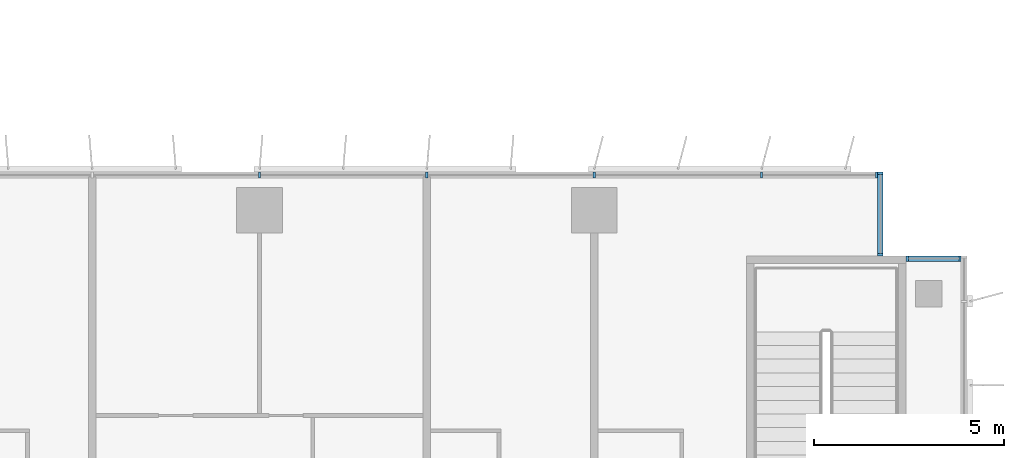
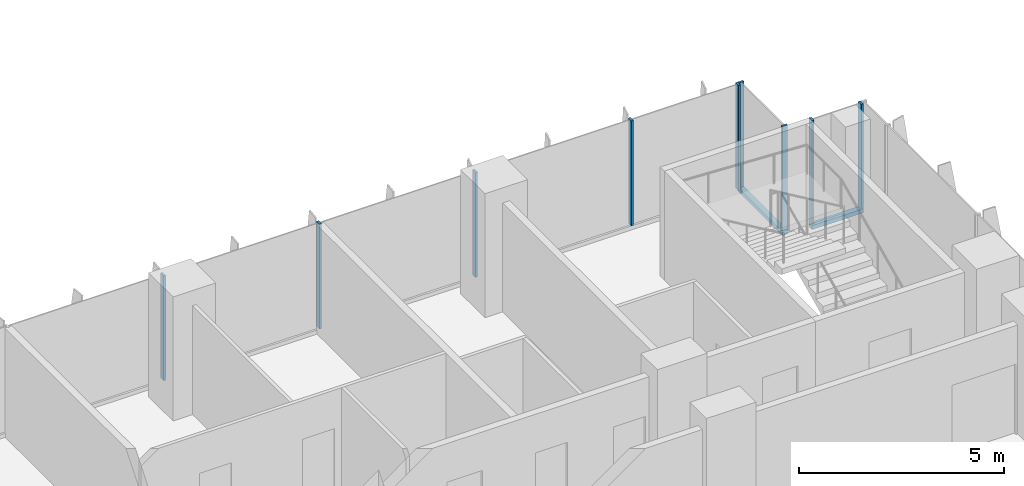
# One storey, part 4 of 22: 11 members, 3 elements without a shape of their own.
"""IFC4 building model written with IfcOpenShell, lengths in metres."""

from ifc_helpers import new_model, si_unit, direction, frame, origin, origin_2d, place, context, subcontext, project, spatial, rectangle, extrude, source, transform, mapped, material, material_profile, profile_set, type_object, element, aggregate, save


model = new_model("IFC4")

# Units and contexts
model_context = context("Model", 3, precision=1e-05, world=origin(), true_north=direction((0.0, 1.0)))
body_context = subcontext(model_context, "Body", "Model", "MODEL_VIEW")
ifc_project = project(units=[si_unit("LENGTHUNIT", "METRE"), si_unit("AREAUNIT", "SQUARE_METRE"), si_unit("VOLUMEUNIT", "CUBIC_METRE"), si_unit("PLANEANGLEUNIT", "RADIAN"), si_unit("MASSUNIT", "GRAM", prefix="KILO")], contexts=[model_context])

# Site, building, storey
site_placement = place(None, origin())
site = spatial("IfcSite", under=ifc_project, at=site_placement, CompositionType="ELEMENT")
building_placement = place(site_placement, origin())
building = spatial("IfcBuilding", under=site, at=building_placement, Name="Kemantara Hotel Tower", CompositionType="ELEMENT")
storey_placement = place(building_placement, frame((0.0, 0.0, 129.60009765625)))
storey = spatial("IfcBuildingStorey", under=building, at=storey_placement, Name="L31", CompositionType="ELEMENT", Elevation=129.60009765625)

# Curtain wall, member
ifc_material_1 = material(Name="Low-E tinted double insulated glass 36 mm", Category="glass")
curtain_wall_type = type_object("IfcCurtainWallType", Name="TOWER CURTAIN WALL, FRONT FACES", PredefinedType="USERDEFINED", material=ifc_material_1)
curtain_wall_1_placement = place(storey_placement, origin())
curtain_wall_1 = element("IfcCurtainWall", 1, at=curtain_wall_1_placement, inside=storey, type_object=curtain_wall_type, Name="CW4 L31 T2-R11-1", ObjectType="TOWER CURTAIN WALL, FRONT FACES", PredefinedType="USERDEFINED")
ifc_material_2 = material(Name="Aluminium 6063-T6 bronze anodised", Category="aluminium")
ifc_material_profile_1 = material_profile(ifc_material_2, rectangle(XDim=0.14990234375, YDim=0.1201171875, at=origin_2d()), Name="TOWER CURTAIN WALL, FRONT FACES TRANSOM")
ifc_profile_set_1 = profile_set([ifc_material_profile_1], Name="Aluminium 6063-T6 bronze anodised")
member_type_1 = type_object("IfcMemberType", Name="TOWER CURTAIN WALL, FRONT FACES TRANSOM", PredefinedType="USERDEFINED", material=ifc_profile_set_1)
member_1_placement = place(storey_placement, frame((63.449951171875, 19.72509765625, 0.059814453125), z_axis=(-1.0, 0.0, 0.0), x_axis=(0.0, -1.0, 0.0)))
member_1 = element("IfcMember", 2, at=member_1_placement, type_object=member_type_1, Name="CW4 sill transom T2-R11-1", ObjectType="TRANSOM", PredefinedType="USERDEFINED", context=body_context, shape_type="SweptSolid", body=[
    extrude(rectangle(XDim=0.14990234375, YDim=0.1201171875, at=origin_2d()), origin(), (0.0, 0.0, 1.0), 1.449951171875),
])

curtain_wall_2_placement = place(storey_placement, origin())
curtain_wall_2 = element("IfcCurtainWall", 3, at=curtain_wall_2_placement, inside=storey, type_object=curtain_wall_type, Name="CW4 L31 T2-R12-1", ObjectType="TOWER CURTAIN WALL, FRONT FACES", PredefinedType="USERDEFINED")
member_2_placement = place(storey_placement, frame((61.324951171875, 19.800048828125, 0.059814453125), z_axis=(0.0, 1.0, 0.0), x_axis=(-1.0, 0.0, 0.0)))
member_2 = element("IfcMember", 4, at=member_2_placement, type_object=member_type_1, Name="CW4 sill transom T2-R12-1", ObjectType="TRANSOM", PredefinedType="USERDEFINED", context=body_context, shape_type="SweptSolid", body=[
    extrude(rectangle(XDim=0.14990234375, YDim=0.1201171875, at=origin_2d()), origin(), (0.0, 0.0, 1.0), 2.199951171875),
])

# Curtain wall, members
curtain_wall_3_placement = place(storey_placement, origin())
curtain_wall_3 = element("IfcCurtainWall", 5, at=curtain_wall_3_placement, inside=storey, type_object=curtain_wall_type, Name="CW4 L31 T2-R13-1", ObjectType="TOWER CURTAIN WALL, FRONT FACES", PredefinedType="USERDEFINED")
ifc_material_profile_2 = material_profile(ifc_material_2, rectangle(XDim=0.14990234375, YDim=0.06005859375, at=origin_2d()), Name="TOWER CURTAIN WALL, FRONT FACES MULLION")
ifc_profile_set_2 = profile_set([ifc_material_profile_2], Name="Aluminium 6063-T6 bronze anodised")
member_type_2 = type_object("IfcMemberType", Name="TOWER CURTAIN WALL, FRONT FACES MULLION", PredefinedType="MULLION", material=ifc_profile_set_2)
shared_shape = source(origin(), body_context, "Body", "SweptSolid", [
    extrude(rectangle(XDim=0.14990234375, YDim=0.06005859375, at=origin_2d()), origin(), (0.0, 0.0, 1.0), 3.130126953125),
])
member_3_placement = place(storey_placement, frame((61.219970703125, 21.925048828125, 0.119873046875), z_axis=(0.0, 0.0, 1.0), x_axis=(0.0, -1.0, 0.0)))
member_3 = element("IfcMember", 6, at=member_3_placement, type_object=member_type_2, Name="CW4 mullion T2-R13-1.1", PredefinedType="MULLION", context=body_context, shape_type="MappedRepresentation", body=[
    mapped(shared_shape, transform((0.0, 0.0, 0.0))),
])
member_4_placement = place(storey_placement, frame((58.199951171875, 21.925048828125, 0.119873046875), z_axis=(0.0, 0.0, 1.0), x_axis=(0.0, -1.0, 0.0)))
member_4 = element("IfcMember", 7, at=member_4_placement, type_object=member_type_2, Name="CW4 mullion T2-R13-1.2", PredefinedType="MULLION", context=body_context, shape_type="MappedRepresentation", body=[
    mapped(shared_shape, transform((0.0, 0.0, 0.0))),
])
member_5_placement = place(storey_placement, frame((53.800048828125, 21.925048828125, 0.119873046875), z_axis=(0.0, 0.0, 1.0), x_axis=(0.0, -1.0, 0.0)))
member_5 = element("IfcMember", 8, at=member_5_placement, type_object=member_type_2, Name="CW4 mullion T2-R13-1.3", PredefinedType="MULLION", context=body_context, shape_type="MappedRepresentation", body=[
    mapped(shared_shape, transform((0.0, 0.0, 0.0))),
])
member_6_placement = place(storey_placement, frame((49.39990234375, 21.925048828125, 0.119873046875), z_axis=(0.0, 0.0, 1.0), x_axis=(0.0, -1.0, 0.0)))
member_6 = element("IfcMember", 9, at=member_6_placement, type_object=member_type_2, Name="CW4 mullion T2-R13-1.4", PredefinedType="MULLION", context=body_context, shape_type="MappedRepresentation", body=[
    mapped(shared_shape, transform((0.0, 0.0, 0.0))),
])
member_7_placement = place(storey_placement, frame((45.0, 21.925048828125, 0.119873046875), z_axis=(0.0, 0.0, 1.0), x_axis=(0.0, -1.0, 0.0)))
member_7 = element("IfcMember", 10, at=member_7_placement, type_object=member_type_2, Name="CW4 mullion T2-R13-1.5", PredefinedType="MULLION", context=body_context, shape_type="MappedRepresentation", body=[
    mapped(shared_shape, transform((0.0, 0.0, 0.0))),
])
aggregate(curtain_wall_3, [member_3, member_4, member_5, member_6, member_7])

# Member
member_8_placement = place(storey_placement, frame((63.419921875, 19.72509765625, 0.119873046875), z_axis=(0.0, 0.0, 1.0), x_axis=(0.0, -1.0, 0.0)))
member_8 = element("IfcMember", 11, at=member_8_placement, type_object=member_type_2, Name="CW4 mullion T2-R11-1.1", PredefinedType="MULLION", context=body_context, shape_type="MappedRepresentation", body=[
    mapped(shared_shape, transform((0.0, 0.0, 0.0))),
])

member_9_placement = place(storey_placement, frame((62.030029296875, 19.72509765625, 0.119873046875), z_axis=(0.0, 0.0, 1.0), x_axis=(0.0, -1.0, 0.0)))
member_9 = element("IfcMember", 12, at=member_9_placement, type_object=member_type_2, Name="CW4 mullion T2-R11-1.2", PredefinedType="MULLION", context=body_context, shape_type="MappedRepresentation", body=[
    mapped(shared_shape, transform((0.0, 0.0, 0.0))),
])

aggregate(curtain_wall_1, [member_1, member_8, member_9])

member_10_placement = place(storey_placement, frame((61.324951171875, 19.830078125, 0.119873046875), z_axis=(0.0, 0.0, 1.0), x_axis=(-1.0, 0.0, 0.0)))
member_10 = element("IfcMember", 13, at=member_10_placement, type_object=member_type_2, Name="CW4 mullion T2-R12-1.1", PredefinedType="MULLION", context=body_context, shape_type="MappedRepresentation", body=[
    mapped(shared_shape, transform((0.0, 0.0, 0.0))),
])

member_11_placement = place(storey_placement, frame((61.324951171875, 21.969970703125, 0.119873046875), z_axis=(0.0, 0.0, 1.0), x_axis=(-1.0, 0.0, 0.0)))
member_11 = element("IfcMember", 14, at=member_11_placement, type_object=member_type_2, Name="CW4 mullion T2-R12-1.2", PredefinedType="MULLION", context=body_context, shape_type="MappedRepresentation", body=[
    mapped(shared_shape, transform((0.0, 0.0, 0.0))),
])

aggregate(curtain_wall_2, [member_2, member_10, member_11])

save(model, "model.ifc")
